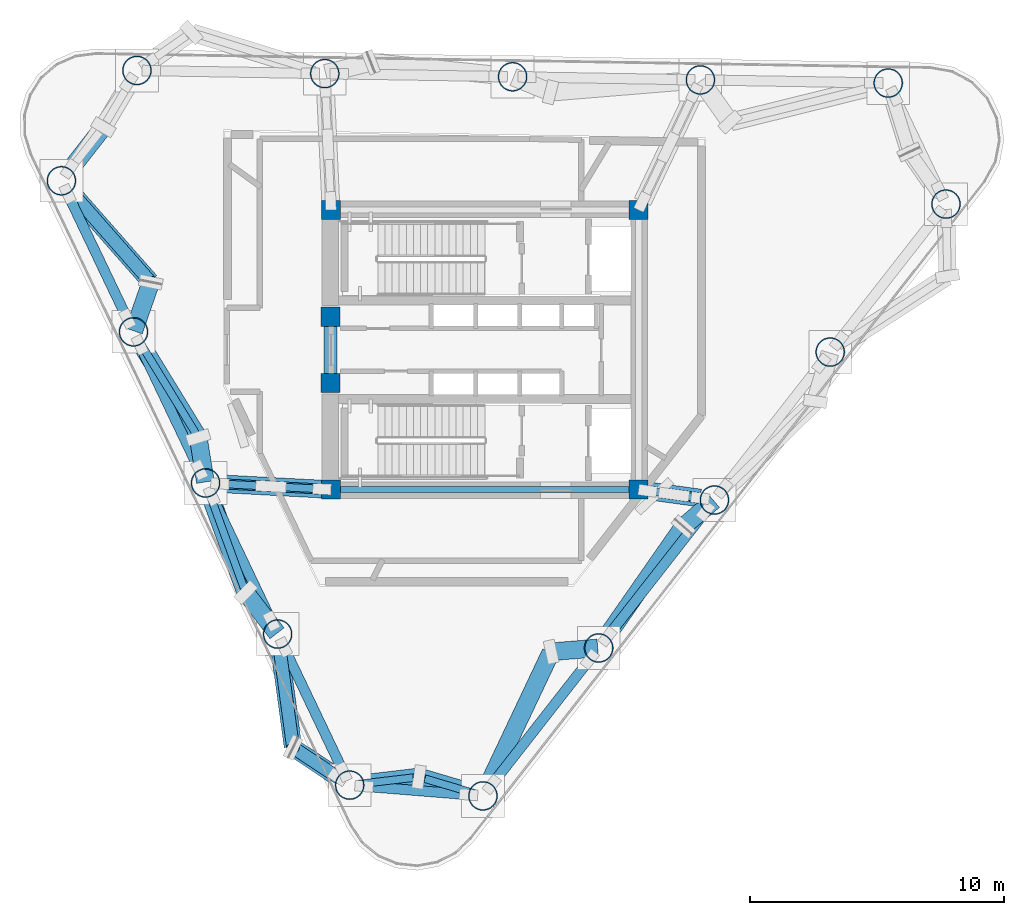
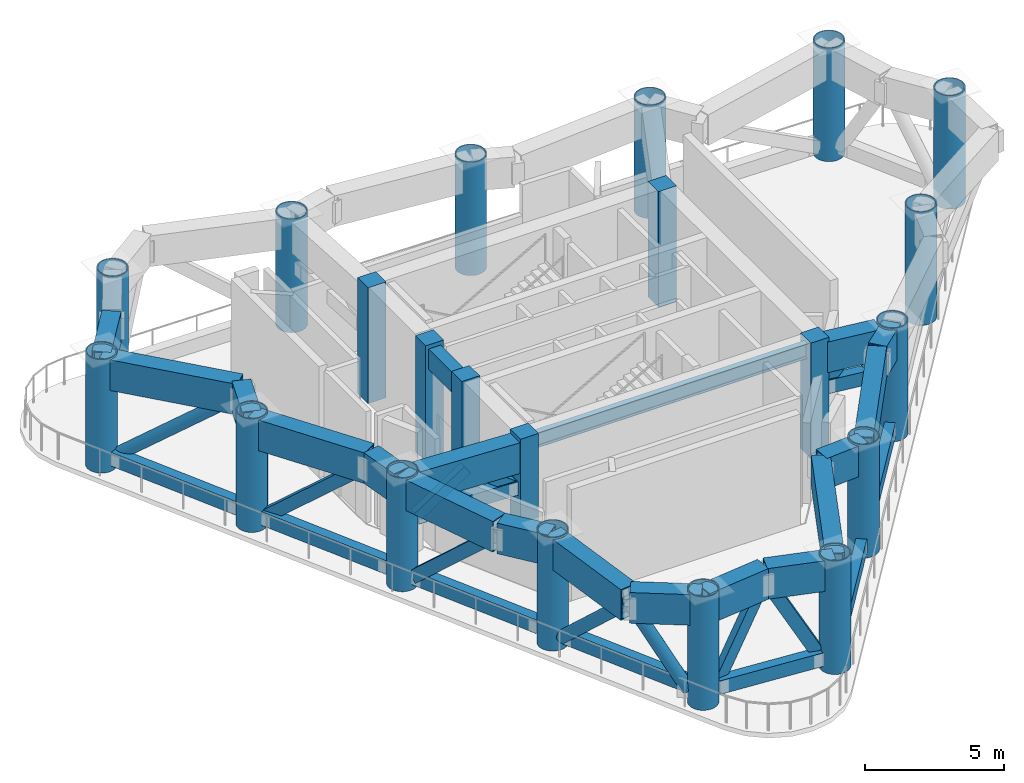
# One storey, part 1 of 8: 21 columns, 20 members, 19 beams.
"""IFC4 building model written with IfcOpenShell, lengths in metres."""

import ifcopenshell
import ifcopenshell.guid

model = None  # the IFC model being written
_history = None  # IfcOwnerHistory: only IFC2X3 demands one
_inside = {}  # id of a spatial element -> (the spatial element, [elements in it])
_under = {}  # id of a project, library or spatial element -> (it, [spatial elements below it])
_declared = {}  # id of a project -> (the project, [libraries it declares])
_typed = {}  # id of a type object -> (the type object, [elements of that type])
_made_of = {}  # id of a material, layer set ... -> (it, [elements and type objects made of it])


def new_model(schema):
    """Start an empty IFC model of exactly this schema.

    Asked for "IFC4X3", IfcOpenShell would pick the latest addendum, in which some entities
    have other attributes; the version numbers below select the first issue.
    IFC2X3 requires an IfcOwnerHistory on every rooted entity: one is made here for all.
    """
    global model, _history
    if schema == "IFC4X3":
        model = ifcopenshell.file(schema_version=(4, 3, 0, 0))
    else:
        model = ifcopenshell.file(schema=schema)
    _inside.clear()
    _under.clear()
    _declared.clear()
    _typed.clear()
    _made_of.clear()
    _history = None
    if model.schema == "IFC2X3":
        org = make("IfcOrganization", Name="unknown")
        user = make(
            "IfcPersonAndOrganization",
            ThePerson=make("IfcPerson", FamilyName="unknown"),
            TheOrganization=org,
        )
        app = make(
            "IfcApplication",
            ApplicationDeveloper=org,
            Version="unknown",
            ApplicationFullName="unknown",
            ApplicationIdentifier="unknown",
        )
        _history = make(
            "IfcOwnerHistory",
            OwningUser=user,
            OwningApplication=app,
            ChangeAction="ADDED",
            CreationDate=0,
        )
    return model


def make(cls, **values):
    """One entity of the class cls with the attributes given. An attribute that is None is left unset."""
    return model.create_entity(
        cls, **{name: value for name, value in values.items() if value is not None}
    )


def rooted(cls, **values):
    """An entity with a GlobalId (a new one), such as an element, a storey or a relation."""
    return make(cls, GlobalId=ifcopenshell.guid.new(), OwnerHistory=_history, **values)


def si_unit(unit_type, name, prefix=None):
    """IfcSIUnit, for example si_unit("LENGTHUNIT", "METRE", prefix="MILLI")."""
    return make("IfcSIUnit", UnitType=unit_type, Prefix=prefix, Name=name)


def assignment(units):
    """IfcUnitAssignment: the units of a project."""
    return None if units is None else make("IfcUnitAssignment", Units=units)


def point(xyz):
    """IfcCartesianPoint."""
    return None if xyz is None else make("IfcCartesianPoint", Coordinates=xyz)


def direction(xyz):
    """IfcDirection."""
    return None if xyz is None else make("IfcDirection", DirectionRatios=xyz)


def frame(location, z_axis=None, x_axis=None):
    """IfcAxis2Placement3D, a coordinate frame: its origin and axes. An axis left out is left unset."""
    return make(
        "IfcAxis2Placement3D",
        Location=point(location),
        Axis=direction(z_axis),
        RefDirection=direction(x_axis),
    )


def frame_2d(location, x_axis=None):
    """IfcAxis2Placement2D, a coordinate frame in the plane: its origin and x axis."""
    return make(
        "IfcAxis2Placement2D", Location=point(location), RefDirection=direction(x_axis)
    )


def origin():
    """The frame at (0, 0, 0) with its axes left unset."""
    return frame((0.0, 0.0, 0.0))


def origin_2d():
    """The frame at (0, 0) in the plane with its x axis left unset."""
    return frame_2d((0.0, 0.0))


def place(relative_to, where):
    """IfcLocalPlacement: puts the frame where relative to a parent placement (None: the world)."""
    return make(
        "IfcLocalPlacement", PlacementRelTo=relative_to, RelativePlacement=where
    )


def context(
    kind, dimensions, precision=None, world=None, true_north=None, identifier=None
):
    """IfcGeometricRepresentationContext, for example the 3D "Model" context."""
    return make(
        "IfcGeometricRepresentationContext",
        ContextIdentifier=identifier,
        ContextType=kind,
        CoordinateSpaceDimension=dimensions,
        Precision=precision,
        WorldCoordinateSystem=world,
        TrueNorth=true_north,
    )


def subcontext(parent, identifier, kind, view, scale=None):
    """IfcGeometricRepresentationSubContext, for example "Body" below "Model"."""
    return make(
        "IfcGeometricRepresentationSubContext",
        ContextIdentifier=identifier,
        ContextType=kind,
        ParentContext=parent,
        TargetScale=scale,
        TargetView=view,
    )


def project(units=None, contexts=None):
    """IfcProject with its units and contexts."""
    return rooted(
        "IfcProject",
        Name="project",
        RepresentationContexts=contexts,
        UnitsInContext=assignment(units),
    )


def spatial(cls, under=None, at=None, **own):
    """A site, building, storey or space (cls), placed at a placement, below another one or the project."""
    s = rooted(cls, ObjectPlacement=at, **own)
    if under is not None:
        _under.setdefault(under.id(), (under, []))[1].append(s)
    return s


def profile(cls, at=None, kind="AREA", **sizes):
    """A parametric profile (cls). Its sizes go by their IFC names, for example OverallWidth=200.0."""
    return make(cls, ProfileType=kind, Position=at, **sizes)


def rectangle(**sizes):
    """IfcRectangleProfileDef."""
    return profile("IfcRectangleProfileDef", **sizes)


def hollow_rectangle(**sizes):
    """IfcRectangleHollowProfileDef."""
    return profile("IfcRectangleHollowProfileDef", **sizes)


def hollow_circle(**sizes):
    """IfcCircleHollowProfileDef."""
    return profile("IfcCircleHollowProfileDef", **sizes)


def i_section(**sizes):
    """IfcIShapeProfileDef."""
    return profile("IfcIShapeProfileDef", **sizes)


def extrude(swept, where, along, depth):
    """IfcExtrudedAreaSolid: the profile swept, set in the frame where, extruded along a direction by depth."""
    return make(
        "IfcExtrudedAreaSolid",
        SweptArea=swept,
        Position=where,
        ExtrudedDirection=direction(along),
        Depth=depth,
    )


def shape(context_of_items, identifier, shape_type, items):
    """IfcShapeRepresentation: the items that make up one representation, for example the "Body"."""
    return make(
        "IfcShapeRepresentation",
        ContextOfItems=context_of_items,
        RepresentationIdentifier=identifier,
        RepresentationType=shape_type,
        Items=items,
    )


def source(mapping_origin, context_of_items, identifier, shape_type, items):
    """IfcRepresentationMap: a shape defined once, which mapped items show again and again."""
    return make(
        "IfcRepresentationMap",
        MappingOrigin=mapping_origin,
        MappedRepresentation=shape(context_of_items, identifier, shape_type, items),
    )


def transform(
    local_origin,
    x_axis=None,
    y_axis=None,
    z_axis=None,
    scale=None,
    scale2=None,
    scale3=None,
    uniform=True,
):
    """IfcCartesianTransformationOperator3D, or its non-uniform kind. x_axis, y_axis, z_axis: its Axis1, 2, 3."""
    if uniform:
        return make(
            "IfcCartesianTransformationOperator3D",
            Axis1=direction(x_axis),
            Axis2=direction(y_axis),
            LocalOrigin=point(local_origin),
            Scale=scale,
            Axis3=direction(z_axis),
        )
    return make(
        "IfcCartesianTransformationOperator3DnonUniform",
        Axis1=direction(x_axis),
        Axis2=direction(y_axis),
        LocalOrigin=point(local_origin),
        Scale=scale,
        Axis3=direction(z_axis),
        Scale2=scale2,
        Scale3=scale3,
    )


def mapped(mapping_source, mapping_target):
    """IfcMappedItem: shows the shape of a source again, moved by a transform."""
    return make(
        "IfcMappedItem", MappingSource=mapping_source, MappingTarget=mapping_target
    )


def material(Name=None, Category=None):
    """IfcMaterial."""
    return make("IfcMaterial", Name=Name, Category=Category)


def material_profile(
    of_material, cross_section, Name=None, Category=None, Priority=None
):
    """IfcMaterialProfile: a cross section and its material."""
    return make(
        "IfcMaterialProfile",
        Name=Name,
        Material=of_material,
        Profile=cross_section,
        Priority=Priority,
        Category=Category,
    )


def profile_set(profiles, Name=None, composite=None):
    """IfcMaterialProfileSet."""
    return make(
        "IfcMaterialProfileSet",
        Name=Name,
        MaterialProfiles=profiles,
        CompositeProfile=composite,
    )


def made_of(thing, what):
    """Note that an element or type object is made of a material, layer set ...; save() writes the relation."""
    if what is not None:
        _made_of.setdefault(what.id(), (what, []))[1].append(thing)
    return thing


def type_object(cls, material=None, **own):
    """A type object (cls), such as IfcWallType, which elements share."""
    return made_of(rooted(cls, **own), material)


def element(
    cls,
    number,
    at=None,
    inside=None,
    cuts=None,
    type_object=None,
    material=None,
    context=None,
    identifier="Body",
    shape_type=None,
    held_by="IfcProductDefinitionShape",
    body=None,
    shapes=None,
    **own,
):
    """One element of the class cls, such as IfcWall. Its Tag is "e" and its number.

    at: its placement. inside: the storey or other place that contains it. cuts: it is an
    opening in that element (IfcRelVoidsElement). A single representation is given by context,
    identifier, shape_type and body (its items); several are given by shapes. held_by: the class
    of the entity that holds the representations. save() writes the other relations.
    """
    e = rooted(cls, Tag="e%d" % number, ObjectPlacement=at, **own)
    if body is not None:
        shapes = [shape(context, identifier, shape_type, body)]
    if shapes is not None:
        e.Representation = make(held_by, Representations=shapes)
    if inside is not None:
        _inside.setdefault(inside.id(), (inside, []))[1].append(e)
    if cuts is not None:
        rooted(
            "IfcRelVoidsElement", RelatingBuildingElement=cuts, RelatedOpeningElement=e
        )
    if type_object is not None:
        _typed.setdefault(type_object.id(), (type_object, []))[1].append(e)
    return made_of(e, material)


def aggregate(whole, parts):
    """IfcRelAggregates: a whole, such as a stair, and the parts it consists of."""
    return rooted("IfcRelAggregates", RelatingObject=whole, RelatedObjects=parts)


def save(model, path):
    """Write the relations noted so far, then the file.

    IfcRelAggregates (storeys below a building ...), IfcRelContainedInSpatialStructure (elements
    in a storey), IfcRelDefinesByType, IfcRelAssociatesMaterial and IfcRelDeclares: one each for
    every whole, place, type object, material and project.
    """
    for whole, parts in _under.values():
        aggregate(whole, parts)
    for where, things in _inside.values():
        rooted(
            "IfcRelContainedInSpatialStructure",
            RelatedElements=things,
            RelatingStructure=where,
        )
    for kind, things in _typed.values():
        rooted("IfcRelDefinesByType", RelatedObjects=things, RelatingType=kind)
    for what, things in _made_of.values():
        rooted("IfcRelAssociatesMaterial", RelatedObjects=things, RelatingMaterial=what)
    for by, libraries in _declared.values():
        rooted("IfcRelDeclares", RelatingContext=by, RelatedDefinitions=libraries)
    model.write(path)


model = new_model("IFC4")

# Units and contexts
model_context = context("Model", 3, precision=1e-05, world=origin(), true_north=direction((0.0, 1.0)))
body_context = subcontext(model_context, "Body", "Model", "MODEL_VIEW")
ifc_project = project(units=[si_unit("LENGTHUNIT", "METRE"), si_unit("AREAUNIT", "SQUARE_METRE"), si_unit("VOLUMEUNIT", "CUBIC_METRE"), si_unit("PLANEANGLEUNIT", "RADIAN"), si_unit("MASSUNIT", "GRAM", prefix="KILO")], contexts=[model_context])

# Site, building, storey
site_placement = place(None, origin())
site = spatial("IfcSite", under=ifc_project, at=site_placement, CompositionType="ELEMENT")
building_placement = place(site_placement, origin())
building = spatial("IfcBuilding", under=site, at=building_placement, Name="Yunling Apex Tower", CompositionType="ELEMENT")
storey_placement = place(building_placement, frame((0.0, 0.0, 219.050048828125)))
storey = spatial("IfcBuildingStorey", under=building, at=storey_placement, Name="RF6", CompositionType="ELEMENT", Elevation=219.050048828125)

# Columns
ifc_material_1 = material(Name="Concrete C50", Category="concrete")
ifc_material_profile_1 = material_profile(ifc_material_1, rectangle(XDim=0.75, YDim=0.75, at=origin_2d()))
ifc_profile_set_1 = profile_set([ifc_material_profile_1], Name="Concrete C50")
column_type_1 = type_object("IfcColumnType", Name="PC-SRC-4", PredefinedType="COLUMN", material=ifc_profile_set_1)
shared_shape_1 = source(origin(), body_context, "Body", "SweptSolid", [
    extrude(rectangle(XDim=0.75, YDim=0.75, at=origin_2d()), origin(), (0.0, 0.0, 1.0), 5.099853515625),
])
for number, where, z_axis, x_axis, name in (
    (1, (-6.050048828125, -5.5, 0.0), (0.0, 0.0, 1.0), (1.0, 0.0, 0.0), "RF6 Core Spine Column CC-SW"),
    (2, (6.050048828125, -5.5, 0.0), (0.0, 0.0, 1.0), (1.0, 0.0, 0.0), "RF6 Core Spine Column CC-SE"),
    (3, (6.050048828125, 5.5, 0.0), (0.0, 0.0, 1.0), (1.0, 0.0, 0.0), "RF6 Core Spine Column CC-NE"),
    (4, (-6.050048828125, 5.5, 0.0), (0.0, 0.0, 1.0), (1.0, 0.0, 0.0), "RF6 Core Spine Column CC-NW"),
    (5, (-6.074951171875, -1.300048828125, 0.0), (0.0, 0.0, 1.0), (1.0, 0.0, 0.0), "RF6 Core West Portal Jamb Column S"),
    (6, (-6.074951171875, 1.300048828125, 0.0), (0.0, 0.0, 1.0), (1.0, 0.0, 0.0), "RF6 Core West Portal Jamb Column N"),
):
    element("IfcColumn", number, at=place(storey_placement, frame(where, z_axis=z_axis, x_axis=x_axis)), inside=storey, type_object=column_type_1, Name=name, PredefinedType="COLUMN", context=body_context, shape_type="MappedRepresentation", body=[
        mapped(shared_shape_1, transform((0.0, 0.0, 0.0), scale=1.0)),
    ])
ifc_material_2 = material(Name="Steel Q390GJC", Category="steel")
ifc_material_profile_2 = material_profile(ifc_material_2, hollow_circle(Radius=0.574951171875, WallThickness=0.0419921875, at=origin_2d()))
ifc_profile_set_2 = profile_set([ifc_material_profile_2], Name="Steel Q390GJC")
column_type_2 = type_object("IfcColumnType", Name="MC-CFST-4", PredefinedType="COLUMN", material=ifc_profile_set_2)
shared_shape_2 = source(origin(), body_context, "Body", "SweptSolid", [
    extrude(hollow_circle(Radius=0.574951171875, WallThickness=0.0419921875, at=origin_2d()), origin(), (0.0, 0.0, 1.0), 5.0),
])
for number, where, z_axis, x_axis, name in (
    (7, (-0.073486328125, -17.55322265625, 0.0), (0.0, 0.0, 1.0), (1.0, 0.0, 0.0), "RF6 Lower-Block CFST Column P01"),
    (8, (4.480712890625, -11.732177734375, 0.0), (0.0, 0.0, 1.0), (1.0, 0.0, 0.0), "RF6 Lower-Block CFST Column P02"),
    (9, (9.03515625, -5.911376953125, 0.0), (0.0, 0.0, 1.0), (1.0, 0.0, 0.0), "RF6 Lower-Block CFST Column P03"),
    (10, (13.589599609375, -0.09033203125, 0.0), (0.0, 0.0, 1.0), (1.0, 0.0, 0.0), "RF6 Lower-Block CFST Column P04"),
    (11, (18.143798828125, 5.730712890625, 0.0), (0.0, 0.0, 1.0), (1.0, 0.0, 0.0), "RF6 Lower-Block CFST Column P05"),
    (12, (15.871826171875, 10.493896484375, 0.0), (0.0, 0.0, 1.0), (1.0, 0.0, 0.0), "RF6 Lower-Block CFST Column P06"),
    (13, (8.48193359375, 10.617919921875, 0.0), (0.0, 0.0, 1.0), (1.0, 0.0, 0.0), "RF6 Lower-Block CFST Column P07"),
    (14, (1.092041015625, 10.74169921875, 0.0), (0.0, 0.0, 1.0), (1.0, 0.0, 0.0), "RF6 Lower-Block CFST Column P08"),
    (15, (-6.2978515625, 10.865478515625, 0.0), (0.0, 0.0, 1.0), (1.0, 0.0, 0.0), "RF6 Lower-Block CFST Column P09"),
    (16, (-13.687744140625, 10.989501953125, 0.0), (0.0, 0.0, 1.0), (1.0, 0.0, 0.0), "RF6 Lower-Block CFST Column P10"),
    (17, (-16.657958984375, 6.649169921875, 0.0), (0.0, 0.0, 1.0), (1.0, 0.0, 0.0), "RF6 Lower-Block CFST Column P11"),
    (18, (-13.822509765625, 0.704345703125, 0.0), (0.0, 0.0, 1.0), (1.0, 0.0, 0.0), "RF6 Lower-Block CFST Column P12"),
    (19, (-10.98681640625, -5.240478515625, 0.0), (0.0, 0.0, 1.0), (1.0, 0.0, 0.0), "RF6 Lower-Block CFST Column P13"),
    (20, (-8.1513671875, -11.185302734375, 0.0), (0.0, 0.0, 1.0), (1.0, 0.0, 0.0), "RF6 Lower-Block CFST Column P14"),
    (21, (-5.31591796875, -17.130126953125, 0.0), (0.0, 0.0, 1.0), (1.0, 0.0, 0.0), "RF6 Lower-Block CFST Column P15"),
):
    element("IfcColumn", number, at=place(storey_placement, frame(where, z_axis=z_axis, x_axis=x_axis)), inside=storey, type_object=column_type_2, Name=name, PredefinedType="COLUMN", context=body_context, shape_type="MappedRepresentation", body=[
        mapped(shared_shape_2, transform((0.0, 0.0, 0.0), scale=1.0)),
    ])

# Beams
ifc_material_profile_3 = material_profile(ifc_material_1, rectangle(XDim=0.5, YDim=0.89990234375, at=origin_2d()))
ifc_profile_set_3 = profile_set([ifc_material_profile_3], Name="Concrete C50")
beam_type_1 = type_object("IfcBeamType", Name="BC-CPL-2", PredefinedType="BEAM", material=ifc_profile_set_3)
shared_shape_3 = source(origin(), body_context, "Body", "SweptSolid", [
    extrude(rectangle(XDim=0.5, YDim=0.89990234375, at=origin_2d()), origin(), (0.0, 0.0, 1.0), 2.5),
])
beam_1_placement = place(storey_placement, frame((-6.074951171875, -1.25, 4.469970703125), z_axis=(0.0, 1.0, 0.0), x_axis=(-1.0, 0.0, 0.0)))
element("IfcBeam", 22, at=beam_1_placement, inside=storey, type_object=beam_type_1, Name="RF6 Core West Portal Coupling Beam", PredefinedType="BEAM", context=body_context, shape_type="MappedRepresentation", body=[
    mapped(shared_shape_3, transform((0.0, 0.0, 0.0), scale=1.0)),
])
ifc_material_3 = material(Name="Steel Q355B", Category="steel")
ifc_material_profile_4 = material_profile(ifc_material_3, i_section(OverallWidth=0.25, OverallDepth=0.64990234375, WebThickness=0.011962890625, FlangeThickness=0.02001953125, FilletRadius=0.02392578125, at=origin_2d()))
ifc_profile_set_4 = profile_set([ifc_material_profile_4], Name="Steel Q355B")
beam_type_2 = type_object("IfcBeamType", Name="BG-PRI-4", PredefinedType="USERDEFINED", material=ifc_profile_set_4)
shared_shape_4 = source(origin(), body_context, "Body", "SweptSolid", [
    extrude(i_section(OverallWidth=0.25, OverallDepth=0.64990234375, WebThickness=0.011962890625, FlangeThickness=0.02001953125, FilletRadius=0.02392578125, at=origin_2d()), origin(), (0.0, 0.0, 1.0), 11.7998046875),
])
beam_2_placement = place(storey_placement, frame((-5.89990234375, -5.5, 4.594970703125), z_axis=(1.0, 0.0, 0.0), x_axis=(0.0, 1.0, 0.0)))
element("IfcBeam", 23, at=beam_2_placement, inside=storey, type_object=beam_type_2, Name="RF6 Core Ring Tie Beam 1", ObjectType="GIRDER", PredefinedType="USERDEFINED", context=body_context, shape_type="MappedRepresentation", body=[
    mapped(shared_shape_4, transform((0.0, 0.0, 0.0), scale=1.0)),
])

# Members
ifc_material_profile_5 = material_profile(ifc_material_3, hollow_rectangle(XDim=0.39990234375, YDim=0.60009765625, WallThickness=0.030029296875, at=origin_2d()))
ifc_profile_set_5 = profile_set([ifc_material_profile_5], Name="Steel Q355B")
member_type_1 = type_object("IfcMemberType", Name="BT-CHD-2", PredefinedType="CHORD", material=ifc_profile_set_5)
shared_shape_5 = source(origin(), body_context, "Body", "SweptSolid", [
    extrude(hollow_rectangle(XDim=0.39990234375, YDim=0.60009765625, WallThickness=0.030029296875, at=origin_2d()), origin(), (0.0, 0.0, 1.0), 6.257080078125),
])
member_1_placement = place(storey_placement, frame((0.27587890625, -17.106689453125, 0.550048828125), z_axis=(0.616188315633, 0.787598857083, 0.0), x_axis=(-0.787598857083, 0.616188315633, 0.0)))
element("IfcMember", 24, at=member_1_placement, inside=storey, type_object=member_type_1, Name="RF6 Belt-Truss Bottom Chord 1", PredefinedType="CHORD", context=body_context, shape_type="MappedRepresentation", body=[
    mapped(shared_shape_5, transform((0.0, 0.0, 0.0), scale=1.0)),
])
shared_shape_6 = source(origin(), body_context, "Body", "SweptSolid", [
    extrude(hollow_rectangle(XDim=0.39990234375, YDim=0.60009765625, WallThickness=0.030029296875, at=origin_2d()), origin(), (0.0, 0.0, 1.0), 6.2568359375),
])
member_2_placement = place(storey_placement, frame((4.830078125, -11.28564453125, 0.550048828125), z_axis=(0.616231455248, 0.787565104333, 0.0), x_axis=(-0.787565104333, 0.616231455248, 0.0)))
element("IfcMember", 25, at=member_2_placement, inside=storey, type_object=member_type_1, Name="RF6 Belt-Truss Bottom Chord 2", PredefinedType="CHORD", context=body_context, shape_type="MappedRepresentation", body=[
    mapped(shared_shape_6, transform((0.0, 0.0, 0.0), scale=1.0)),
])
shared_shape_7 = source(origin(), body_context, "Body", "SweptSolid", [
    extrude(hollow_rectangle(XDim=0.39990234375, YDim=0.60009765625, WallThickness=0.030029296875, at=origin_2d()), origin(), (0.0, 0.0, 1.0), 5.452392578125),
])
for number, where, z_axis, x_axis, name in (
    (26, (-16.413818359375, 6.13720703125, 0.550048828125), (0.430533136369, -0.902574771688, 0.0), (0.902574771688, 0.430533136369, 0.0), "RF6 Belt-Truss Bottom Chord 11"),
    (27, (-13.578369140625, 0.1923828125, 0.550048828125), (0.430533136369, -0.902574771688, 0.0), (0.902574771688, 0.430533136369, 0.0), "RF6 Belt-Truss Bottom Chord 12"),
):
    element("IfcMember", number, at=place(storey_placement, frame(where, z_axis=z_axis, x_axis=x_axis)), inside=storey, type_object=member_type_1, Name=name, PredefinedType="CHORD", context=body_context, shape_type="MappedRepresentation", body=[
        mapped(shared_shape_7, transform((0.0, 0.0, 0.0), scale=1.0)),
    ])
shared_shape_8 = source(origin(), body_context, "Body", "SweptSolid", [
    extrude(hollow_rectangle(XDim=0.39990234375, YDim=0.60009765625, WallThickness=0.030029296875, at=origin_2d()), origin(), (0.0, 0.0, 1.0), 5.45263671875),
])
for number, where, z_axis, x_axis, name in (
    (28, (-10.742919921875, -5.752197265625, 0.550048828125), (0.430515737079, -0.902583071039, 0.0), (0.902583071039, 0.430515737079, 0.0), "RF6 Belt-Truss Bottom Chord 13"),
    (29, (-7.9072265625, -11.697021484375, 0.550048828125), (0.430515737079, -0.902583071039, 0.0), (0.902583071039, 0.430515737079, 0.0), "RF6 Belt-Truss Bottom Chord 14"),
):
    element("IfcMember", number, at=place(storey_placement, frame(where, z_axis=z_axis, x_axis=x_axis)), inside=storey, type_object=member_type_1, Name=name, PredefinedType="CHORD", context=body_context, shape_type="MappedRepresentation", body=[
        mapped(shared_shape_8, transform((0.0, 0.0, 0.0), scale=1.0)),
    ])
shared_shape_9 = source(origin(), body_context, "Body", "SweptSolid", [
    extrude(hollow_rectangle(XDim=0.39990234375, YDim=0.60009765625, WallThickness=0.030029296875, at=origin_2d()), origin(), (0.0, 0.0, 1.0), 4.125244140625),
])
member_3_placement = place(storey_placement, frame((-4.75048828125, -17.17578125, 0.550048828125), z_axis=(0.996760282759, -0.080429712877, 0.0), x_axis=(0.080429712877, 0.996760282759, 0.0)))
element("IfcMember", 30, at=member_3_placement, inside=storey, type_object=member_type_1, Name="RF6 Belt-Truss Bottom Chord 15", PredefinedType="CHORD", context=body_context, shape_type="MappedRepresentation", body=[
    mapped(shared_shape_9, transform((0.0, 0.0, 0.0), scale=1.0)),
])

# Beams
ifc_material_profile_6 = material_profile(ifc_material_2, hollow_rectangle(XDim=0.699951171875, YDim=1.35009765625, WallThickness=0.044921875, at=origin_2d()))
ifc_profile_set_6 = profile_set([ifc_material_profile_6], Name="Steel Q390GJC")
beam_type_3 = type_object("IfcBeamType", Name="BTRNG-2", PredefinedType="USERDEFINED", material=ifc_profile_set_6)
shared_shape_10 = source(origin(), body_context, "Body", "SweptSolid", [
    extrude(hollow_rectangle(XDim=0.699951171875, YDim=1.35009765625, WallThickness=0.044921875, at=origin_2d()), origin(), (0.0, 0.0, 1.0), 1.736083984375),
])
beam_3_placement = place(storey_placement, frame((-11.269287109375, -3.48681640625, 4.244873046875), z_axis=(0.158900845659, -0.987294546348, 0.0), x_axis=(0.987294546348, 0.158900845659, 0.0)))
element("IfcBeam", 31, at=beam_3_placement, inside=storey, type_object=beam_type_3, Name="RF6 Panel-Split Box Ring Transfer Girder 1", ObjectType="GIRDER", PredefinedType="USERDEFINED", context=body_context, shape_type="MappedRepresentation", body=[
    mapped(shared_shape_10, transform((0.0, 0.0, 0.0), scale=1.0)),
])
shared_shape_11 = source(origin(), body_context, "Body", "SweptSolid", [
    extrude(hollow_rectangle(XDim=0.699951171875, YDim=1.35009765625, WallThickness=0.044921875, at=origin_2d()), origin(), (0.0, 0.0, 1.0), 4.50927734375),
])
beam_4_placement = place(storey_placement, frame((-10.97314453125, -5.278076171875, 4.244873046875), z_axis=(0.343642092821, -0.939100693239, 0.0), x_axis=(0.939100693239, 0.343642092821, 0.0)))
element("IfcBeam", 32, at=beam_4_placement, inside=storey, type_object=beam_type_3, Name="RF6 Panel-Split Box Ring Transfer Girder 2", ObjectType="GIRDER", PredefinedType="USERDEFINED", context=body_context, shape_type="MappedRepresentation", body=[
    mapped(shared_shape_11, transform((0.0, 0.0, 0.0), scale=1.0)),
])
shared_shape_12 = source(origin(), body_context, "Body", "SweptSolid", [
    extrude(hollow_rectangle(XDim=0.699951171875, YDim=1.35009765625, WallThickness=0.044921875, at=origin_2d()), origin(), (0.0, 0.0, 1.0), 1.983154296875),
])
beam_5_placement = place(storey_placement, frame((-9.385498046875, -9.58203125, 4.244873046875), z_axis=(0.609978442125, -0.792418008467, 0.0), x_axis=(0.792418008467, 0.609978442125, 0.0)))
element("IfcBeam", 33, at=beam_5_placement, inside=storey, type_object=beam_type_3, Name="RF6 Panel-Split Box Ring Transfer Girder 3", ObjectType="GIRDER", PredefinedType="USERDEFINED", context=body_context, shape_type="MappedRepresentation", body=[
    mapped(shared_shape_12, transform((0.0, 0.0, 0.0), scale=1.0)),
])
shared_shape_13 = source(origin(), body_context, "Body", "SweptSolid", [
    extrude(hollow_rectangle(XDim=0.699951171875, YDim=1.35009765625, WallThickness=0.044921875, at=origin_2d()), origin(), (0.0, 0.0, 1.0), 4.42919921875),
])
beam_6_placement = place(storey_placement, frame((-8.14599609375, -11.224853515625, 4.244873046875), z_axis=(0.134712262987, -0.990884759294, 0.0), x_axis=(0.990884759294, 0.134712262987, 0.0)))
element("IfcBeam", 34, at=beam_6_placement, inside=storey, type_object=beam_type_3, Name="RF6 Panel-Split Box Ring Transfer Girder 4", ObjectType="GIRDER", PredefinedType="USERDEFINED", context=body_context, shape_type="MappedRepresentation", body=[
    mapped(shared_shape_13, transform((0.0, 0.0, 0.0), scale=1.0)),
])
shared_shape_14 = source(origin(), body_context, "Body", "SweptSolid", [
    extrude(hollow_rectangle(XDim=0.699951171875, YDim=1.35009765625, WallThickness=0.044921875, at=origin_2d()), origin(), (0.0, 0.0, 1.0), 2.593017578125),
])
beam_7_placement = place(storey_placement, frame((-7.5107421875, -15.675537109375, 4.244873046875), z_axis=(0.83359688706, -0.552373270429, 0.0), x_axis=(0.552373270429, 0.83359688706, 0.0)))
element("IfcBeam", 35, at=beam_7_placement, inside=storey, type_object=beam_type_3, Name="RF6 Panel-Split Box Ring Transfer Girder 5", ObjectType="GIRDER", PredefinedType="USERDEFINED", context=body_context, shape_type="MappedRepresentation", body=[
    mapped(shared_shape_14, transform((0.0, 0.0, 0.0), scale=1.0)),
])
shared_shape_15 = source(origin(), body_context, "Body", "SweptSolid", [
    extrude(hollow_rectangle(XDim=0.699951171875, YDim=1.35009765625, WallThickness=0.044921875, at=origin_2d()), origin(), (0.0, 0.0, 1.0), 2.66748046875),
])
beam_8_placement = place(storey_placement, frame((-5.276123046875, -17.12548828125, 4.244873046875), z_axis=(0.99309301031, 0.11732976124, 0.0), x_axis=(-0.11732976124, 0.99309301031, 0.0)))
element("IfcBeam", 36, at=beam_8_placement, inside=storey, type_object=beam_type_3, Name="RF6 Panel-Split Box Ring Transfer Girder 6", ObjectType="GIRDER", PredefinedType="USERDEFINED", context=body_context, shape_type="MappedRepresentation", body=[
    mapped(shared_shape_15, transform((0.0, 0.0, 0.0), scale=1.0)),
])
shared_shape_16 = source(origin(), body_context, "Body", "SweptSolid", [
    extrude(hollow_rectangle(XDim=0.699951171875, YDim=1.35009765625, WallThickness=0.044921875, at=origin_2d()), origin(), (0.0, 0.0, 1.0), 2.5419921875),
])
beam_9_placement = place(storey_placement, frame((-2.549072265625, -16.8193359375, 4.244873046875), z_axis=(0.958770010487, -0.284183157471, 0.0), x_axis=(0.284183157471, 0.958770010487, 0.0)))
element("IfcBeam", 37, at=beam_9_placement, inside=storey, type_object=beam_type_3, Name="RF6 Panel-Split Box Ring Transfer Girder 7", ObjectType="GIRDER", PredefinedType="USERDEFINED", context=body_context, shape_type="MappedRepresentation", body=[
    mapped(shared_shape_16, transform((0.0, 0.0, 0.0), scale=1.0)),
])
shared_shape_17 = source(origin(), body_context, "Body", "SweptSolid", [
    extrude(hollow_rectangle(XDim=0.699951171875, YDim=1.35009765625, WallThickness=0.044921875, at=origin_2d()), origin(), (0.0, 0.0, 1.0), 6.1943359375),
])
beam_10_placement = place(storey_placement, frame((-0.056396484375, -17.51708984375, 4.244873046875), z_axis=(0.427828804899, 0.903859786526, 0.0), x_axis=(-0.903859786526, 0.427828804899, 0.0)))
element("IfcBeam", 38, at=beam_10_placement, inside=storey, type_object=beam_type_3, Name="RF6 Panel-Split Box Ring Transfer Girder 8", ObjectType="GIRDER", PredefinedType="USERDEFINED", context=body_context, shape_type="MappedRepresentation", body=[
    mapped(shared_shape_17, transform((0.0, 0.0, 0.0), scale=1.0)),
])
shared_shape_18 = source(origin(), body_context, "Body", "SweptSolid", [
    extrude(hollow_rectangle(XDim=0.699951171875, YDim=1.35009765625, WallThickness=0.044921875, at=origin_2d()), origin(), (0.0, 0.0, 1.0), 1.7958984375),
])
beam_11_placement = place(storey_placement, frame((2.650634765625, -11.878662109375, 4.244873046875), z_axis=(0.996811387318, 0.079793847587, 0.0), x_axis=(-0.079793847587, 0.996811387318, 0.0)))
element("IfcBeam", 39, at=beam_11_placement, inside=storey, type_object=beam_type_3, Name="RF6 Panel-Split Box Ring Transfer Girder 9", ObjectType="GIRDER", PredefinedType="USERDEFINED", context=body_context, shape_type="MappedRepresentation", body=[
    mapped(shared_shape_18, transform((0.0, 0.0, 0.0), scale=1.0)),
])
shared_shape_19 = source(origin(), body_context, "Body", "SweptSolid", [
    extrude(hollow_rectangle(XDim=0.699951171875, YDim=1.35009765625, WallThickness=0.044921875, at=origin_2d()), origin(), (0.0, 0.0, 1.0), 5.741455078125),
])
beam_12_placement = place(storey_placement, frame((4.503662109375, -11.699462890625, 4.244873046875), z_axis=(0.571705932893, 0.820458607301, 0.0), x_axis=(-0.820458607301, 0.571705932893, 0.0)))
element("IfcBeam", 40, at=beam_12_placement, inside=storey, type_object=beam_type_3, Name="RF6 Panel-Split Box Ring Transfer Girder 10", ObjectType="GIRDER", PredefinedType="USERDEFINED", context=body_context, shape_type="MappedRepresentation", body=[
    mapped(shared_shape_19, transform((0.0, 0.0, 0.0), scale=1.0)),
])
shared_shape_20 = source(origin(), body_context, "Body", "SweptSolid", [
    extrude(hollow_rectangle(XDim=0.699951171875, YDim=1.35009765625, WallThickness=0.044921875, at=origin_2d()), origin(), (0.0, 0.0, 1.0), 1.531005859375),
])
beam_13_placement = place(storey_placement, frame((7.83935546875, -6.93017578125, 4.244873046875), z_axis=(0.761155755289, 0.648569129847, 0.0), x_axis=(-0.648569129847, 0.761155755289, 0.0)))
element("IfcBeam", 41, at=beam_13_placement, inside=storey, type_object=beam_type_3, Name="RF6 Panel-Split Box Ring Transfer Girder 11", ObjectType="GIRDER", PredefinedType="USERDEFINED", context=body_context, shape_type="MappedRepresentation", body=[
    mapped(shared_shape_20, transform((0.0, 0.0, 0.0), scale=1.0)),
])
shared_shape_21 = source(origin(), body_context, "Body", "SweptSolid", [
    extrude(hollow_rectangle(XDim=0.699951171875, YDim=1.35009765625, WallThickness=0.044921875, at=origin_2d()), origin(), (0.0, 0.0, 1.0), 2.5986328125),
])
beam_14_placement = place(storey_placement, frame((-15.031982421875, 8.727294921875, 4.244873046875), z_axis=(-0.61621452811, -0.787578348703, 0.0), x_axis=(0.787578348703, -0.61621452811, 0.0)))
element("IfcBeam", 42, at=beam_14_placement, inside=storey, type_object=beam_type_3, Name="RF6 Panel-Split Box Ring Transfer Girder 27", ObjectType="GIRDER", PredefinedType="USERDEFINED", context=body_context, shape_type="MappedRepresentation", body=[
    mapped(shared_shape_21, transform((0.0, 0.0, 0.0), scale=1.0)),
])
shared_shape_22 = source(origin(), body_context, "Body", "SweptSolid", [
    extrude(hollow_rectangle(XDim=0.699951171875, YDim=1.35009765625, WallThickness=0.044921875, at=origin_2d()), origin(), (0.0, 0.0, 1.0), 5.240966796875),
])
beam_15_placement = place(storey_placement, frame((-16.631591796875, 6.619140625, 4.244873046875), z_axis=(0.660872535887, -0.750498162097, 0.0), x_axis=(0.750498162097, 0.660872535887, 0.0)))
element("IfcBeam", 43, at=beam_15_placement, inside=storey, type_object=beam_type_3, Name="RF6 Panel-Split Box Ring Transfer Girder 28", ObjectType="GIRDER", PredefinedType="USERDEFINED", context=body_context, shape_type="MappedRepresentation", body=[
    mapped(shared_shape_22, transform((0.0, 0.0, 0.0), scale=1.0)),
])
shared_shape_23 = source(origin(), body_context, "Body", "SweptSolid", [
    extrude(hollow_rectangle(XDim=0.699951171875, YDim=1.35009765625, WallThickness=0.044921875, at=origin_2d()), origin(), (0.0, 0.0, 1.0), 1.986572265625),
])
beam_16_placement = place(storey_placement, frame((-13.15478515625, 2.617919921875, 4.244873046875), z_axis=(-0.329359416418, -0.944204625501, 0.0), x_axis=(0.944204625501, -0.329359416418, 0.0)))
element("IfcBeam", 44, at=beam_16_placement, inside=storey, type_object=beam_type_3, Name="RF6 Panel-Split Box Ring Transfer Girder 29", ObjectType="GIRDER", PredefinedType="USERDEFINED", context=body_context, shape_type="MappedRepresentation", body=[
    mapped(shared_shape_23, transform((0.0, 0.0, 0.0), scale=1.0)),
])
shared_shape_24 = source(origin(), body_context, "Body", "SweptSolid", [
    extrude(hollow_rectangle(XDim=0.699951171875, YDim=1.35009765625, WallThickness=0.044921875, at=origin_2d()), origin(), (0.0, 0.0, 1.0), 4.79052734375),
])
beam_17_placement = place(storey_placement, frame((-13.801513671875, 0.670166015625, 4.244873046875), z_axis=(0.522879903996, -0.852406362011, 0.0), x_axis=(0.852406362011, 0.522879903996, 0.0)))
element("IfcBeam", 45, at=beam_17_placement, inside=storey, type_object=beam_type_3, Name="RF6 Panel-Split Box Ring Transfer Girder 30", ObjectType="GIRDER", PredefinedType="USERDEFINED", context=body_context, shape_type="MappedRepresentation", body=[
    mapped(shared_shape_24, transform((0.0, 0.0, 0.0), scale=1.0)),
])

# Members
ifc_material_profile_7 = material_profile(ifc_material_3, hollow_rectangle(XDim=0.300048828125, YDim=0.5, WallThickness=0.02197265625, at=origin_2d()))
ifc_profile_set_7 = profile_set([ifc_material_profile_7], Name="Steel Q355B")
member_type_2 = type_object("IfcMemberType", Name="BR-BLT-2", PredefinedType="BRACE", material=ifc_profile_set_7)
shared_shape_25 = source(origin(), body_context, "Body", "SweptSolid", [
    extrude(hollow_rectangle(XDim=0.300048828125, YDim=0.5, WallThickness=0.02197265625, at=origin_2d()), origin(), (0.0, 0.0, 1.0), 4.218994140625),
])
member_4_placement = place(storey_placement, frame((-0.615234375, -17.392578125, 0.550048828125), z_axis=(-0.462870062248, 0.137200264732, 0.875743908247), x_axis=(-0.284190353497, -0.958767877528, 0.0)))
element("IfcMember", 46, at=member_4_placement, inside=storey, type_object=member_type_2, Name="RF6 Belt-Truss Diagonal 1-1", PredefinedType="BRACE", context=body_context, shape_type="MappedRepresentation", body=[
    mapped(shared_shape_25, transform((0.0, 0.0, 0.0), scale=1.0)),
])
shared_shape_26 = source(origin(), body_context, "Body", "SweptSolid", [
    extrude(hollow_rectangle(XDim=0.300048828125, YDim=0.5, WallThickness=0.02197265625, at=origin_2d()), origin(), (0.0, 0.0, 1.0), 4.281005859375),
])
member_5_placement = place(storey_placement, frame((-4.754638671875, -17.063720703125, 0.550048828125), z_axis=(0.501618149999, 0.059195047715, 0.863061514562), x_axis=(-0.117194982236, 0.993108924609, 0.0)))
element("IfcMember", 47, at=member_5_placement, inside=storey, type_object=member_type_2, Name="RF6 Belt-Truss Diagonal 1-2", PredefinedType="BRACE", context=body_context, shape_type="MappedRepresentation", body=[
    mapped(shared_shape_26, transform((0.0, 0.0, 0.0), scale=1.0)),
])
ifc_material_profile_8 = material_profile(ifc_material_3, hollow_circle(Radius=0.25390625, WallThickness=0.02001953125, at=origin_2d()))
ifc_profile_set_8 = profile_set([ifc_material_profile_8], Name="Steel Q355B")
member_type_3 = type_object("IfcMemberType", Name="BR-PER-2", PredefinedType="BRACE", material=ifc_profile_set_8)
shared_shape_27 = source(origin(), body_context, "Body", "SweptSolid", [
    extrude(hollow_circle(Radius=0.25390625, WallThickness=0.02001953125, at=origin_2d()), origin(), (0.0, 0.0, 1.0), 6.0068359375),
])
member_6_placement = place(storey_placement, frame((-16.28466796875, 6.22509765625, 0.550048828125), z_axis=(0.52105433894, -0.59173401877, 0.61510424068), x_axis=(0.750506910982, 0.66086260037, 0.0)))
element("IfcMember", 48, at=member_6_placement, inside=storey, type_object=member_type_3, Name="RF6 Belt-Truss Diagonal 12-1", PredefinedType="BRACE", context=body_context, shape_type="MappedRepresentation", body=[
    mapped(shared_shape_27, transform((0.0, 0.0, 0.0), scale=1.0)),
])
shared_shape_28 = source(origin(), body_context, "Body", "SweptSolid", [
    extrude(hollow_rectangle(XDim=0.300048828125, YDim=0.5, WallThickness=0.02197265625, at=origin_2d()), origin(), (0.0, 0.0, 1.0), 5.658447265625),
])
member_7_placement = place(storey_placement, frame((-13.527099609375, 0.22265625, 0.550048828125), z_axis=(0.395999097272, -0.645601927706, 0.652979988899), x_axis=(0.852420255081, 0.522857254637, 0.0)))
element("IfcMember", 49, at=member_7_placement, inside=storey, type_object=member_type_2, Name="RF6 Belt-Truss Diagonal 13-1", PredefinedType="BRACE", context=body_context, shape_type="MappedRepresentation", body=[
    mapped(shared_shape_28, transform((0.0, 0.0, 0.0), scale=1.0)),
])
shared_shape_29 = source(origin(), body_context, "Body", "SweptSolid", [
    extrude(hollow_rectangle(XDim=0.300048828125, YDim=0.5, WallThickness=0.02197265625, at=origin_2d()), origin(), (0.0, 0.0, 1.0), 5.448486328125),
])
member_8_placement = place(storey_placement, frame((-10.792724609375, -5.77099609375, 0.550048828125), z_axis=(0.252541289019, -0.690186918871, 0.678133404545), x_axis=(0.939107976812, 0.343622187711, 0.0)))
element("IfcMember", 50, at=member_8_placement, inside=storey, type_object=member_type_2, Name="RF6 Belt-Truss Diagonal 14-1", PredefinedType="BRACE", context=body_context, shape_type="MappedRepresentation", body=[
    mapped(shared_shape_29, transform((0.0, 0.0, 0.0), scale=1.0)),
])
shared_shape_30 = source(origin(), body_context, "Body", "SweptSolid", [
    extrude(hollow_circle(Radius=0.25390625, WallThickness=0.02001953125, at=origin_2d()), origin(), (0.0, 0.0, 1.0), 4.244140625),
])
member_9_placement = place(storey_placement, frame((-5.786865234375, -16.818115234375, 0.550048828125), z_axis=(-0.410095018553, 0.271862681678, 0.870581850299), x_axis=(-0.552539900574, -0.833486447565, 0.0)))
element("IfcMember", 51, at=member_9_placement, inside=storey, type_object=member_type_3, Name="RF6 Belt-Truss Diagonal 15-1", PredefinedType="BRACE", context=body_context, shape_type="MappedRepresentation", body=[
    mapped(shared_shape_30, transform((0.0, 0.0, 0.0), scale=1.0)),
])
shared_shape_31 = source(origin(), body_context, "Body", "SweptSolid", [
    extrude(hollow_circle(Radius=0.25390625, WallThickness=0.02001953125, at=origin_2d()), origin(), (0.0, 0.0, 1.0), 5.389892578125),
])
member_10_placement = place(storey_placement, frame((-8.0751953125, -11.7451171875, 0.550048828125), z_axis=(0.098065801948, -0.721429112066, 0.685509398004), x_axis=(0.99088724585, 0.1346939717, 0.0)))
element("IfcMember", 52, at=member_10_placement, inside=storey, type_object=member_type_3, Name="RF6 Belt-Truss Diagonal 15-2", PredefinedType="BRACE", context=body_context, shape_type="MappedRepresentation", body=[
    mapped(shared_shape_31, transform((0.0, 0.0, 0.0), scale=1.0)),
])

# Beam
shared_shape_32 = source(origin(), body_context, "Body", "SweptSolid", [
    extrude(hollow_rectangle(XDim=0.699951171875, YDim=1.35009765625, WallThickness=0.044921875, at=origin_2d()), origin(), (0.0, 0.0, 1.0), 4.018798828125),
])
beam_18_placement = place(storey_placement, frame((-6.409423828125, -5.481201171875, 4.244873046875), z_axis=(-0.998621518906, 0.052488684289, 0.0), x_axis=(-0.052488684289, -0.998621518906, 0.0)))
element("IfcBeam", 53, at=beam_18_placement, inside=storey, type_object=beam_type_3, Name="RF6 Radial Outrigger Top Girder 1", ObjectType="GIRDER", PredefinedType="USERDEFINED", context=body_context, shape_type="MappedRepresentation", body=[
    mapped(shared_shape_32, transform((0.0, 0.0, 0.0), scale=1.0)),
])

# Members
shared_shape_33 = source(origin(), body_context, "Body", "SweptSolid", [
    extrude(hollow_rectangle(XDim=0.39990234375, YDim=0.60009765625, WallThickness=0.030029296875, at=origin_2d()), origin(), (0.0, 0.0, 1.0), 4.018798828125),
])
member_11_placement = place(storey_placement, frame((-6.409423828125, -5.481201171875, 2.820068359375), z_axis=(-0.998621518906, 0.052488684289, 0.0), x_axis=(-0.052488684289, -0.998621518906, 0.0)))
element("IfcMember", 54, at=member_11_placement, inside=storey, type_object=member_type_1, Name="RF6 Radial Outrigger Lower Chord 1", PredefinedType="CHORD", context=body_context, shape_type="MappedRepresentation", body=[
    mapped(shared_shape_33, transform((0.0, 0.0, 0.0), scale=1.0)),
])
ifc_material_profile_9 = material_profile(ifc_material_3, hollow_rectangle(XDim=0.300048828125, YDim=0.449951171875, WallThickness=0.02001953125, at=origin_2d()))
ifc_profile_set_9 = profile_set([ifc_material_profile_9], Name="Steel Q355B")
member_type_4 = type_object("IfcMemberType", Name="BR-OUT-2", PredefinedType="BRACE", material=ifc_profile_set_9)
shared_shape_34 = source(origin(), body_context, "Body", "SweptSolid", [
    extrude(hollow_rectangle(XDim=0.300048828125, YDim=0.449951171875, WallThickness=0.02001953125, at=origin_2d()), origin(), (0.0, 0.0, 1.0), 2.463134765625),
])
for number, where, z_axis, x_axis, name in (
    (55, (-6.409423828125, -5.481201171875, 2.820068359375), (-0.814611364831, 0.042816901035, 0.57842461676), (-0.052488684289, -0.998621518906, 0.0), "RF6 Outrigger Inner Diagonal 1A"),
    (56, (-8.416015625, -5.375732421875, 4.244873046875), (-0.814611364831, 0.042816901035, -0.57842461676), (-0.052488684289, -0.998621518906, 0.0), "RF6 Outrigger Outer Diagonal 1B"),
):
    element("IfcMember", number, at=place(storey_placement, frame(where, z_axis=z_axis, x_axis=x_axis)), inside=storey, type_object=member_type_4, Name=name, PredefinedType="BRACE", context=body_context, shape_type="MappedRepresentation", body=[
        mapped(shared_shape_34, transform((0.0, 0.0, 0.0), scale=1.0)),
    ])

# Beam
shared_shape_35 = source(origin(), body_context, "Body", "SweptSolid", [
    extrude(hollow_rectangle(XDim=0.699951171875, YDim=1.35009765625, WallThickness=0.044921875, at=origin_2d()), origin(), (0.0, 0.0, 1.0), 2.08837890625),
])
beam_19_placement = place(storey_placement, frame((6.406494140625, -5.549072265625, 4.244873046875), z_axis=(0.990634219989, -0.136542455623, 0.0), x_axis=(0.136542455623, 0.990634219989, 0.0)))
element("IfcBeam", 57, at=beam_19_placement, inside=storey, type_object=beam_type_3, Name="RF6 Radial Outrigger Top Girder 2", ObjectType="GIRDER", PredefinedType="USERDEFINED", context=body_context, shape_type="MappedRepresentation", body=[
    mapped(shared_shape_35, transform((0.0, 0.0, 0.0), scale=1.0)),
])

# Members
shared_shape_36 = source(origin(), body_context, "Body", "SweptSolid", [
    extrude(hollow_rectangle(XDim=0.39990234375, YDim=0.60009765625, WallThickness=0.030029296875, at=origin_2d()), origin(), (0.0, 0.0, 1.0), 2.08837890625),
])
member_12_placement = place(storey_placement, frame((6.406494140625, -5.549072265625, 2.820068359375), z_axis=(0.990634219989, -0.136542455623, 0.0), x_axis=(0.136542455623, 0.990634219989, 0.0)))
element("IfcMember", 58, at=member_12_placement, inside=storey, type_object=member_type_1, Name="RF6 Radial Outrigger Lower Chord 2", PredefinedType="CHORD", context=body_context, shape_type="MappedRepresentation", body=[
    mapped(shared_shape_36, transform((0.0, 0.0, 0.0), scale=1.0)),
])
shared_shape_37 = source(origin(), body_context, "Body", "SweptSolid", [
    extrude(hollow_rectangle(XDim=0.300048828125, YDim=0.449951171875, WallThickness=0.02001953125, at=origin_2d()), origin(), (0.0, 0.0, 1.0), 1.766357421875),
])
for number, where, z_axis, x_axis, name in (
    (59, (6.406494140625, -5.549072265625, 2.820068359375), (0.585586860368, -0.080713411955, 0.806581287965), (0.136542455623, 0.990634219989, 0.0), "RF6 Outrigger Inner Diagonal 2A"),
    (60, (7.44091796875, -5.691650390625, 4.244873046875), (0.585586860368, -0.080713411955, -0.806581287965), (0.136542455623, 0.990634219989, 0.0), "RF6 Outrigger Outer Diagonal 2B"),
):
    element("IfcMember", number, at=place(storey_placement, frame(where, z_axis=z_axis, x_axis=x_axis)), inside=storey, type_object=member_type_4, Name=name, PredefinedType="BRACE", context=body_context, shape_type="MappedRepresentation", body=[
        mapped(shared_shape_37, transform((0.0, 0.0, 0.0), scale=1.0)),
    ])

save(model, "model.ifc")
